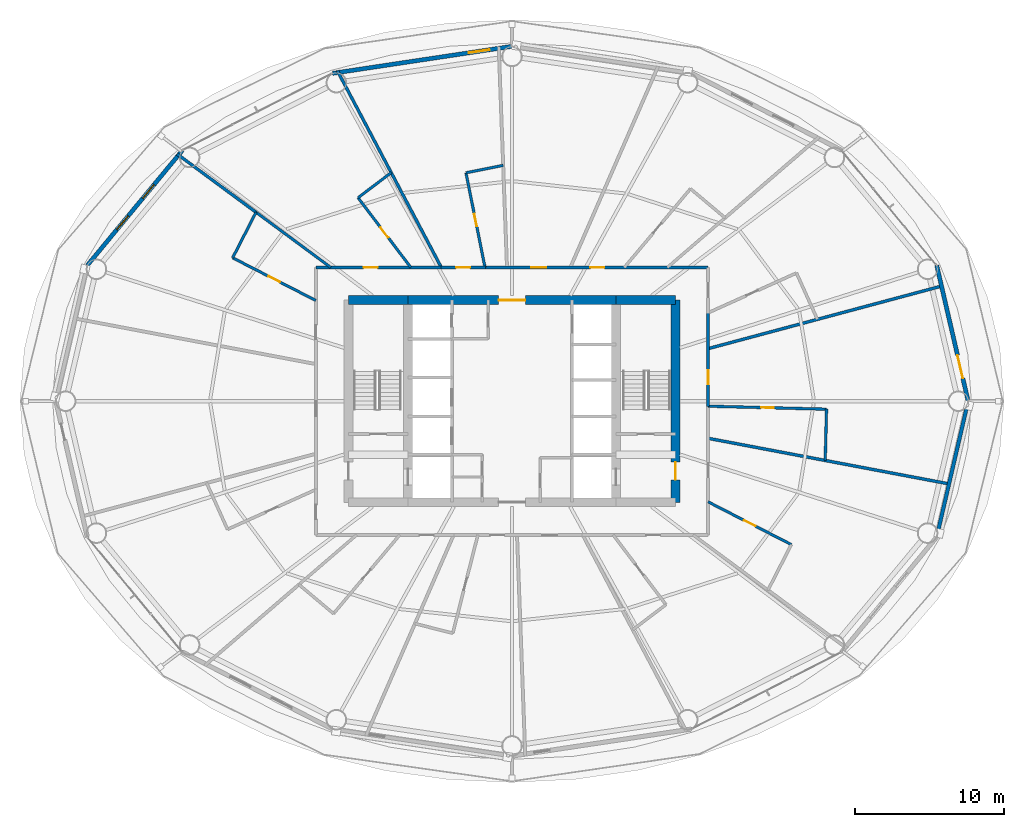
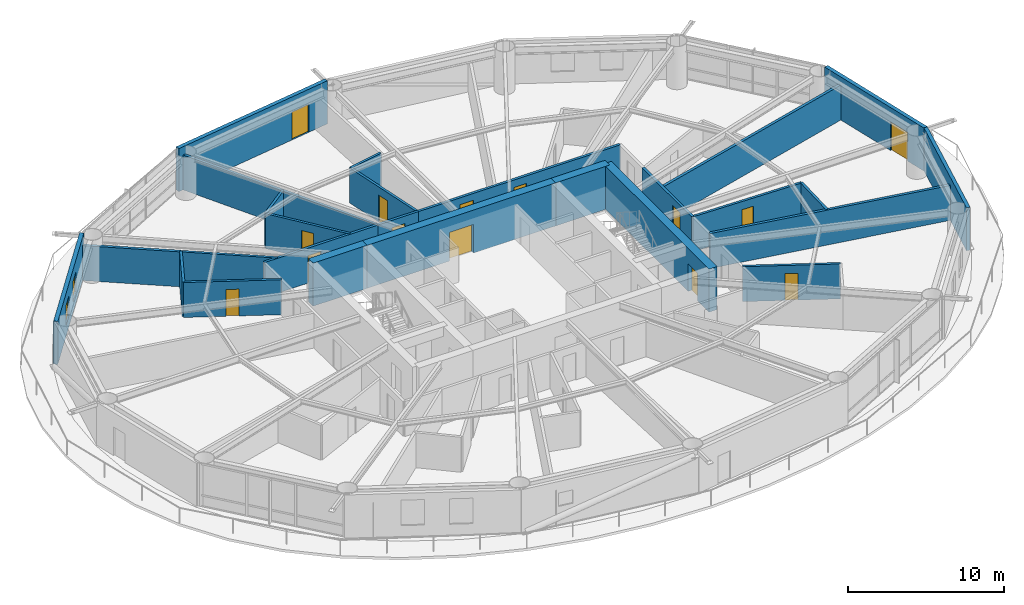
# One storey, part 22 of 26: 26 walls, 14 doors, 2 windows, 16 openings.
"""IFC4 building model written with IfcOpenShell, lengths in metres."""

from ifc_helpers import new_model, si_unit, direction, frame, frame_2d, origin, place, context, subcontext, project, spatial, rectangle, extrude, material, layer, layer_set, type_object, element, fill, save


model = new_model("IFC4")

# Units and contexts
model_context = context("Model", 3, precision=1e-05, world=origin(), true_north=direction((0.0, 1.0)))
body_context = subcontext(model_context, "Body", "Model", "MODEL_VIEW")
ifc_project = project(units=[si_unit("LENGTHUNIT", "METRE"), si_unit("AREAUNIT", "SQUARE_METRE"), si_unit("VOLUMEUNIT", "CUBIC_METRE"), si_unit("PLANEANGLEUNIT", "RADIAN"), si_unit("MASSUNIT", "GRAM", prefix="KILO")], contexts=[model_context])

# Site, building, storey
site_placement = place(None, origin())
site = spatial("IfcSite", under=ifc_project, at=site_placement, CompositionType="ELEMENT")
building_placement = place(site_placement, origin())
building = spatial("IfcBuilding", under=site, at=building_placement, Name="Sarneth Arch Tower", CompositionType="ELEMENT")
storey_placement = place(building_placement, frame((0.0, 0.0, 39.0)))
storey = spatial("IfcBuildingStorey", under=building, at=storey_placement, Name="L08", CompositionType="ELEMENT", Elevation=39.0)

# Wall
ifc_material_1 = material(Name="Concrete C60/75", Category="concrete")
ifc_layer_1 = layer(ifc_material_1, 0.60009765625)
ifc_layer_set_1 = layer_set([ifc_layer_1], Name="Concrete C60/75")
wall_type_1 = type_object("IfcWallType", Name="WALL-CORE-600", PredefinedType="SHEAR", material=ifc_layer_set_1)
wall_1_placement = place(storey_placement, frame((37.0, 48.800048828125, 0.0), z_axis=(0.0, 0.0, 1.0), x_axis=(1.0, 0.0, 0.0)))
element("IfcWall", 1, at=wall_1_placement, inside=storey, type_object=wall_type_1, Name="L08 Core shear wall N-W", PredefinedType="SHEAR", context=body_context, shape_type="SweptSolid", body=[
    extrude(rectangle(XDim=4.0, YDim=0.60009765625, at=frame_2d((2.0, 0.0))), origin(), (0.0, 0.0, 1.0), 3.3798828125),
])

# Wall, opening, door
wall_2_placement = place(storey_placement, frame((41.0, 48.800048828125, 0.0), z_axis=(0.0, 0.0, 1.0), x_axis=(1.0, 0.0, 0.0)))
wall_2 = element("IfcWall", 2, at=wall_2_placement, inside=storey, type_object=wall_type_1, Name="L08 Core shear wall N-M", PredefinedType="SHEAR", context=body_context, shape_type="SweptSolid", body=[
    extrude(rectangle(XDim=14.0, YDim=0.60009765625, at=frame_2d((7.0, 0.0))), origin(), (0.0, 0.0, 1.0), 3.3798828125),
])
opening_1_placement = place(wall_2_placement, frame((6.10009765625, 0.0, 0.0)))
opening_1 = element("IfcOpeningElement", 3, at=opening_1_placement, cuts=wall_2, Name="Opening FD-01", PredefinedType="OPENING", context=body_context, shape_type="SweptSolid", body=[
    extrude(rectangle(XDim=1.800048828125, YDim=2.25, at=frame_2d((0.89990234375, 1.125))), frame((0.0, 0.31005859375, 0.0), z_axis=(0.0, -1.0, 0.0), x_axis=(1.0, 0.0, 0.0)), (0.0, 0.0, 1.0), 0.6201171875),
])
ifc_material_2 = material(Name="Galvanised Steel S275 fire door set", Category="steel")
door_type_1 = type_object("IfcDoorType", Name="DR-FD90-1800", OperationType="DOUBLE_DOOR_SINGLE_SWING", PredefinedType="DOOR", material=ifc_material_2)
door_1_placement = place(opening_1_placement, origin())
door_1 = element("IfcDoor", 4, at=door_1_placement, inside=storey, type_object=door_type_1, Name="L08 Central lift lobby north door", OperationType="DOUBLE_DOOR_SINGLE_SWING", OverallHeight=2.25, OverallWidth=1.800048828125, PredefinedType="DOOR", context=body_context, shape_type="SweptSolid", body=[
    extrude(rectangle(XDim=1.800048828125, YDim=2.25, at=frame_2d((0.89990234375, 1.125))), frame((0.0, 0.02490234375, 0.0), z_axis=(0.0, -1.0, 0.0), x_axis=(1.0, 0.0, 0.0)), (0.0, 0.0, 1.0), 0.050048828125),
])
fill(opening_1, door_1)

# Wall
wall_3_placement = place(storey_placement, frame((55.0, 48.800048828125, 0.0), z_axis=(0.0, 0.0, 1.0), x_axis=(1.0, 0.0, 0.0)))
element("IfcWall", 5, at=wall_3_placement, inside=storey, type_object=wall_type_1, Name="L08 Core shear wall N-E", PredefinedType="SHEAR", context=body_context, shape_type="SweptSolid", body=[
    extrude(rectangle(XDim=4.0, YDim=0.60009765625, at=frame_2d((2.0, 0.0))), origin(), (0.0, 0.0, 1.0), 3.3798828125),
])

# Wall, opening, door
wall_4_placement = place(storey_placement, frame((59.0, 35.199951171875, 0.0), z_axis=(0.0, 0.0, 1.0), x_axis=(0.0, 1.0, 0.0)))
wall_4 = element("IfcWall", 6, at=wall_4_placement, inside=storey, type_object=wall_type_1, Name="L08 Core shear wall E", PredefinedType="SHEAR", context=body_context, shape_type="SweptSolid", body=[
    extrude(rectangle(XDim=13.60009765625, YDim=0.60009765625, at=frame_2d((6.800048828125, 0.0))), origin(), (0.0, 0.0, 1.0), 3.3798828125),
])
opening_2_placement = place(wall_4_placement, frame((1.5, 0.0, 0.0)))
opening_2 = element("IfcOpeningElement", 7, at=opening_2_placement, cuts=wall_4, Name="Opening FD-02", PredefinedType="OPENING", context=body_context, shape_type="SweptSolid", body=[
    extrude(rectangle(XDim=1.199951171875, YDim=2.14990234375, at=frame_2d((0.60009765625, 1.074951171875))), frame((0.0, 0.31005859375, 0.0), z_axis=(0.0, -1.0, 0.0), x_axis=(1.0, 0.0, 0.0)), (0.0, 0.0, 1.0), 0.6201171875),
])
ifc_material_3 = material(Name="Galvanised Steel S275 fire door set", Category="steel")
door_type_2 = type_object("IfcDoorType", Name="DR-FD90-1200", OperationType="SINGLE_SWING_LEFT", PredefinedType="DOOR", material=ifc_material_3)
door_2_placement = place(opening_2_placement, origin())
door_2 = element("IfcDoor", 8, at=door_2_placement, inside=storey, type_object=door_type_2, Name="L08 Firefighting lobby 2 exit door", OperationType="SINGLE_SWING_RIGHT", OverallHeight=2.14990234375, OverallWidth=1.199951171875, PredefinedType="DOOR", context=body_context, shape_type="SweptSolid", body=[
    extrude(rectangle(XDim=1.199951171875, YDim=2.14990234375, at=frame_2d((0.60009765625, 1.074951171875))), frame((0.0, 0.02490234375, 0.0), z_axis=(0.0, -1.0, 0.0), x_axis=(1.0, 0.0, 0.0)), (0.0, 0.0, 1.0), 0.050048828125),
])
fill(opening_2, door_2)

ifc_material_4 = material(Name="Double steel-stud corridor fire wall", Category="steel")
ifc_layer_2 = layer(ifc_material_4, 0.18994140625)
ifc_layer_set_2 = layer_set([ifc_layer_2], Name="Double steel-stud corridor fire wall")
wall_type_2 = type_object("IfcWallType", Name="WALL-CORR-190", PredefinedType="PARTITIONING", material=ifc_layer_set_2)
wall_5_placement = place(storey_placement, frame((34.800048828125, 51.0, 0.0), z_axis=(0.0, 0.0, 1.0), x_axis=(1.0, 0.0, 0.0)))
wall_5 = element("IfcWall", 9, at=wall_5_placement, inside=storey, type_object=wall_type_2, Name="L08 Interior partition W-L08-TP-009", PredefinedType="PARTITIONING", context=body_context, shape_type="SweptSolid", body=[
    extrude(rectangle(XDim=8.4794921875, YDim=0.18994140625, at=frame_2d((4.23974609375, 0.0))), origin(), (0.0, 0.0, 1.0), 2.739990234375),
])
opening_3_placement = place(wall_5_placement, frame((3.2158203125, 0.0, 0.0)))
opening_3 = element("IfcOpeningElement", 10, at=opening_3_placement, cuts=wall_5, Name="Opening FD-09", PredefinedType="OPENING", context=body_context, shape_type="SweptSolid", body=[
    extrude(rectangle(XDim=0.949951171875, YDim=2.14990234375, at=frame_2d((0.47509765625, 1.074951171875))), frame((0.0, 0.10498046875, 0.0), z_axis=(0.0, -1.0, 0.0), x_axis=(1.0, 0.0, 0.0)), (0.0, 0.0, 1.0), 0.2099609375),
])
ifc_material_5 = material(Name="Hardwood timber hotel entrance fire door", Category="wood")
door_type_3 = type_object("IfcDoorType", Name="DR-FD60-950", OperationType="SINGLE_SWING_RIGHT", PredefinedType="DOOR", material=ifc_material_5)
door_3_placement = place(opening_3_placement, origin())
door_3 = element("IfcDoor", 11, at=door_3_placement, inside=storey, type_object=door_type_3, Name="L08 Interior door DR-L08-KEY-05", OperationType="SINGLE_SWING_LEFT", OverallHeight=2.14990234375, OverallWidth=0.949951171875, PredefinedType="DOOR", context=body_context, shape_type="SweptSolid", body=[
    extrude(rectangle(XDim=0.949951171875, YDim=2.14990234375, at=frame_2d((0.47509765625, 1.074951171875))), frame((0.0, 0.02490234375, 0.0), z_axis=(0.0, -1.0, 0.0), x_axis=(1.0, 0.0, 0.0)), (0.0, 0.0, 1.0), 0.050048828125),
])
fill(opening_3, door_3)

# Wall, openings, doors
wall_6_placement = place(storey_placement, frame((46.152587890625, 51.0, 0.0), z_axis=(0.0, 0.0, 1.0), x_axis=(1.0, 0.0, 0.0)))
wall_6 = element("IfcWall", 12, at=wall_6_placement, inside=storey, type_object=wall_type_2, Name="L08 Interior partition W-L08-TP-006", PredefinedType="PARTITIONING", context=body_context, shape_type="SweptSolid", body=[
    extrude(rectangle(XDim=15.04736328125, YDim=0.18994140625, at=frame_2d((7.523681640625, 0.0))), origin(), (0.0, 0.0, 1.0), 2.739990234375),
])
opening_4_placement = place(wall_6_placement, frame((3.143798828125, 0.0, 0.0)))
opening_4 = element("IfcOpeningElement", 13, at=opening_4_placement, cuts=wall_6, Name="Opening FD-08", PredefinedType="OPENING", context=body_context, shape_type="SweptSolid", body=[
    extrude(rectangle(XDim=1.0, YDim=2.199951171875, at=frame_2d((0.5, 1.10009765625))), frame((0.0, 0.10498046875, 0.0), z_axis=(0.0, -1.0, 0.0), x_axis=(1.0, 0.0, 0.0)), (0.0, 0.0, 1.0), 0.2099609375),
])
opening_5_placement = place(wall_6_placement, frame((7.118896484375, 0.0, 0.0)))
opening_5 = element("IfcOpeningElement", 14, at=opening_5_placement, cuts=wall_6, Name="Opening FD-09", PredefinedType="OPENING", context=body_context, shape_type="SweptSolid", body=[
    extrude(rectangle(XDim=0.949951171875, YDim=2.14990234375, at=frame_2d((0.47509765625, 1.074951171875))), frame((0.0, 0.10498046875, 0.0), z_axis=(0.0, -1.0, 0.0), x_axis=(1.0, 0.0, 0.0)), (0.0, 0.0, 1.0), 0.2099609375),
])
ifc_material_6 = material(Name="Hardwood timber acoustic fire door", Category="wood")
door_type_4 = type_object("IfcDoorType", Name="DR-FD60-1000", OperationType="SINGLE_SWING_LEFT", PredefinedType="DOOR", material=ifc_material_6)
door_4_placement = place(opening_4_placement, origin())
door_4 = element("IfcDoor", 15, at=door_4_placement, inside=storey, type_object=door_type_4, Name="L08 Interior door DR-L08-AMN-03", OperationType="SINGLE_SWING_RIGHT", OverallHeight=2.199951171875, OverallWidth=1.0, PredefinedType="DOOR", context=body_context, shape_type="SweptSolid", body=[
    extrude(rectangle(XDim=1.0, YDim=2.199951171875, at=frame_2d((0.5, 1.10009765625))), frame((0.0, 0.02490234375, 0.0), z_axis=(0.0, -1.0, 0.0), x_axis=(1.0, 0.0, 0.0)), (0.0, 0.0, 1.0), 0.050048828125),
])
fill(opening_4, door_4)
door_5_placement = place(opening_5_placement, origin())
door_5 = element("IfcDoor", 16, at=door_5_placement, inside=storey, type_object=door_type_3, Name="L08 Interior door DR-L08-KEY-02", OperationType="SINGLE_SWING_RIGHT", OverallHeight=2.14990234375, OverallWidth=0.949951171875, PredefinedType="DOOR", context=body_context, shape_type="SweptSolid", body=[
    extrude(rectangle(XDim=0.949951171875, YDim=2.14990234375, at=frame_2d((0.47509765625, 1.074951171875))), frame((0.0, 0.02490234375, 0.0), z_axis=(0.0, -1.0, 0.0), x_axis=(1.0, 0.0, 0.0)), (0.0, 0.0, 1.0), 0.050048828125),
])
fill(opening_5, door_5)

# Wall, opening, door
wall_7_placement = place(storey_placement, frame((61.199951171875, 47.983154296875, 0.0), z_axis=(0.0, 0.0, 1.0), x_axis=(0.0, -1.0, 0.0)))
wall_7 = element("IfcWall", 17, at=wall_7_placement, inside=storey, type_object=wall_type_2, Name="L08 Interior partition W-L08-TP-028", PredefinedType="PARTITIONING", context=body_context, shape_type="SweptSolid", body=[
    extrude(rectangle(XDim=6.35107421875, YDim=0.18994140625, at=frame_2d((3.175537109375, 0.0))), origin(), (0.0, 0.0, 1.0), 2.739990234375),
])
opening_6_placement = place(wall_7_placement, frame((3.906982421875, 0.0, 0.0)))
opening_6 = element("IfcOpeningElement", 18, at=opening_6_placement, cuts=wall_7, Name="Opening FD-09", PredefinedType="OPENING", context=body_context, shape_type="SweptSolid", body=[
    extrude(rectangle(XDim=0.949951171875, YDim=2.14990234375, at=frame_2d((0.47509765625, 1.074951171875))), frame((0.0, 0.10498046875, 0.0), z_axis=(0.0, -1.0, 0.0), x_axis=(1.0, 0.0, 0.0)), (0.0, 0.0, 1.0), 0.2099609375),
])
door_6_placement = place(opening_6_placement, origin())
door_6 = element("IfcDoor", 19, at=door_6_placement, inside=storey, type_object=door_type_3, Name="L08 Interior door DR-L08-KEY-14", OperationType="SINGLE_SWING_RIGHT", OverallHeight=2.14990234375, OverallWidth=0.949951171875, PredefinedType="DOOR", context=body_context, shape_type="SweptSolid", body=[
    extrude(rectangle(XDim=0.949951171875, YDim=2.14990234375, at=frame_2d((0.47509765625, 1.074951171875))), frame((0.0, 0.02490234375, 0.0), z_axis=(0.0, -1.0, 0.0), x_axis=(1.0, 0.0, 0.0)), (0.0, 0.0, 1.0), 0.050048828125),
])
fill(opening_6, door_6)

wall_8_placement = place(storey_placement, frame((43.207275390625, 51.0, 0.0), z_axis=(0.0, 0.0, 1.0), x_axis=(1.0, 0.0, 0.0)))
wall_8 = element("IfcWall", 20, at=wall_8_placement, inside=storey, type_object=wall_type_2, Name="L08 Interior partition W-L08-TP-007", PredefinedType="PARTITIONING", context=body_context, shape_type="SweptSolid", body=[
    extrude(rectangle(XDim=3.0107421875, YDim=0.18994140625, at=frame_2d((1.50537109375, 0.0))), origin(), (0.0, 0.0, 1.0), 2.739990234375),
])
opening_7_placement = place(wall_8_placement, frame((1.0302734375, 0.0, 0.0)))
opening_7 = element("IfcOpeningElement", 21, at=opening_7_placement, cuts=wall_8, Name="Opening FD-09", PredefinedType="OPENING", context=body_context, shape_type="SweptSolid", body=[
    extrude(rectangle(XDim=0.949951171875, YDim=2.14990234375, at=frame_2d((0.47509765625, 1.074951171875))), frame((0.0, 0.10498046875, 0.0), z_axis=(0.0, -1.0, 0.0), x_axis=(1.0, 0.0, 0.0)), (0.0, 0.0, 1.0), 0.2099609375),
])
door_7_placement = place(opening_7_placement, origin())
door_7 = element("IfcDoor", 22, at=door_7_placement, inside=storey, type_object=door_type_3, Name="L08 Interior door DR-L08-KEY-04", OperationType="SINGLE_SWING_LEFT", OverallHeight=2.14990234375, OverallWidth=0.949951171875, PredefinedType="DOOR", context=body_context, shape_type="SweptSolid", body=[
    extrude(rectangle(XDim=0.949951171875, YDim=2.14990234375, at=frame_2d((0.47509765625, 1.074951171875))), frame((0.0, 0.02490234375, 0.0), z_axis=(0.0, -1.0, 0.0), x_axis=(1.0, 0.0, 0.0)), (0.0, 0.0, 1.0), 0.050048828125),
])
fill(opening_7, door_7)

# Wall
ifc_material_7 = material(Name="Extruded terracotta rainscreen on Concrete C40/50 backing", Category="masonry")
ifc_layer_3 = layer(ifc_material_7, 0.25)
ifc_layer_set_3 = layer_set([ifc_layer_3], Name="Extruded terracotta rainscreen on Concrete C40/50 backing")
wall_type_3 = type_object("IfcWallType", Name="WALL-EXT-SPAND-250", PredefinedType="SOLIDWALL", material=ifc_layer_set_3)
wall_9_placement = place(storey_placement, frame((76.5810546875, 32.861572265625, 0.0), z_axis=(0.0, 0.0, 1.0), x_axis=(0.225454452941, 0.974253709076, 0.0)))
element("IfcWall", 23, at=wall_9_placement, inside=storey, type_object=wall_type_3, Name="L08 Terracotta perimeter wall 16", PredefinedType="SOLIDWALL", context=body_context, shape_type="SweptSolid", body=[
    extrude(rectangle(XDim=9.3798828125, YDim=0.25, at=frame_2d((4.68994140625, 0.0))), origin(), (0.0, 0.0, 1.0), 3.3798828125),
])

# Wall, opening, door
ifc_material_8 = material(Name="Extruded terracotta rainscreen on Concrete C40/50 backing", Category="masonry")
ifc_layer_4 = layer(ifc_material_8, 0.280029296875)
ifc_layer_set_4 = layer_set([ifc_layer_4], Name="Extruded terracotta rainscreen on Concrete C40/50 backing")
wall_type_4 = type_object("IfcWallType", Name="WALL-EXT-TERRA-280", PredefinedType="SOLIDWALL", material=ifc_layer_set_4)
wall_10_placement = place(storey_placement, frame((78.69580078125, 42.0, 0.0), z_axis=(0.0, 0.0, 1.0), x_axis=(-0.225454452941, 0.974253709076, 0.0)))
wall_10 = element("IfcWall", 24, at=wall_10_placement, inside=storey, type_object=wall_type_4, Name="L08 Terracotta perimeter wall 01", PredefinedType="SOLIDWALL", context=body_context, shape_type="SweptSolid", body=[
    extrude(rectangle(XDim=9.3798828125, YDim=0.280029296875, at=frame_2d((4.68994140625, 0.0))), origin(), (0.0, 0.0, 1.0), 3.3798828125),
])
opening_8_placement = place(wall_10_placement, frame((1.5791015625, 0.0, 0.0)))
opening_8 = element("IfcOpeningElement", 25, at=opening_8_placement, cuts=wall_10, Name="Opening BD-1", PredefinedType="OPENING", context=body_context, shape_type="SweptSolid", body=[
    extrude(rectangle(XDim=1.60009765625, YDim=2.25, at=frame_2d((0.800048828125, 1.125))), frame((0.0, 0.14990234375, 0.0), z_axis=(0.0, -1.0, 0.0), x_axis=(1.0, 0.0, 0.0)), (0.0, 0.0, 1.0), 0.300048828125),
])
ifc_material_9 = material(Name="Thermally broken Aluminium 6063-T6 and laminated safety glass", Category="aluminium")
door_type_5 = type_object("IfcDoorType", Name="DR-BALC-GLZ-1600", OperationType="DOUBLE_DOOR_SINGLE_SWING", PredefinedType="DOOR", material=ifc_material_9)
door_8_placement = place(opening_8_placement, origin())
door_8 = element("IfcDoor", 26, at=door_8_placement, inside=storey, type_object=door_type_5, Name="L08 Balcony glazed door 01", OperationType="DOUBLE_DOOR_SINGLE_SWING", OverallHeight=2.25, OverallWidth=1.60009765625, PredefinedType="DOOR", context=body_context, shape_type="SweptSolid", body=[
    extrude(rectangle(XDim=1.60009765625, YDim=2.25, at=frame_2d((0.800048828125, 1.125))), frame((0.0, 0.02490234375, 0.0), z_axis=(0.0, -1.0, 0.0), x_axis=(1.0, 0.0, 0.0)), (0.0, 0.0, 1.0), 0.050048828125),
])
fill(opening_8, door_8)

wall_11_placement = place(storey_placement, frame((48.0, 65.8798828125, 0.0), z_axis=(0.0, 0.0, 1.0), x_axis=(-0.988864835849, -0.148816452121, 0.0)))
wall_11 = element("IfcWall", 27, at=wall_11_placement, inside=storey, type_object=wall_type_4, Name="L08 Terracotta perimeter wall 05", PredefinedType="SOLIDWALL", context=body_context, shape_type="SweptSolid", body=[
    extrude(rectangle(XDim=12.2138671875, YDim=0.280029296875, at=frame_2d((6.10693359375, 0.0))), origin(), (0.0, 0.0, 1.0), 3.3798828125),
])
opening_9_placement = place(wall_11_placement, frame((1.53125, 0.0, 0.0)))
opening_9 = element("IfcOpeningElement", 28, at=opening_9_placement, cuts=wall_11, Name="Opening BD-2", PredefinedType="OPENING", context=body_context, shape_type="SweptSolid", body=[
    extrude(rectangle(XDim=1.39990234375, YDim=2.199951171875, at=frame_2d((0.699951171875, 1.10009765625))), frame((0.0, 0.14990234375, 0.0), z_axis=(0.0, -1.0, 0.0), x_axis=(1.0, 0.0, 0.0)), (0.0, 0.0, 1.0), 0.300048828125),
])
ifc_material_10 = material(Name="Thermally broken Aluminium 6063-T6 and laminated safety glass", Category="aluminium")
door_type_6 = type_object("IfcDoorType", Name="DR-BALC-GLZ-1400", OperationType="SINGLE_SWING_LEFT", PredefinedType="DOOR", material=ifc_material_10)
door_9_placement = place(opening_9_placement, origin())
door_9 = element("IfcDoor", 29, at=door_9_placement, inside=storey, type_object=door_type_6, Name="L08 Balcony glazed door 05", OperationType="SINGLE_SWING_LEFT", OverallHeight=2.199951171875, OverallWidth=1.39990234375, PredefinedType="DOOR", context=body_context, shape_type="SweptSolid", body=[
    extrude(rectangle(XDim=1.39990234375, YDim=2.199951171875, at=frame_2d((0.699951171875, 1.10009765625))), frame((0.0, 0.02490234375, 0.0), z_axis=(0.0, -1.0, 0.0), x_axis=(1.0, 0.0, 0.0)), (0.0, 0.0, 1.0), 0.050048828125),
])
fill(opening_9, door_9)

# Wall, openings, windows
wall_12_placement = place(storey_placement, frame((25.825927734375, 58.8857421875, 0.0), z_axis=(0.0, 0.0, 1.0), x_axis=(-0.637296809613, -0.770618437657, 0.0)))
wall_12 = element("IfcWall", 30, at=wall_12_placement, inside=storey, type_object=wall_type_4, Name="L08 Terracotta perimeter wall 07", PredefinedType="SOLIDWALL", context=body_context, shape_type="SweptSolid", body=[
    extrude(rectangle(XDim=10.053466796875, YDim=0.280029296875, at=frame_2d((5.02685546875, 0.0))), origin(), (0.0, 0.0, 1.0), 3.3798828125),
])
opening_10_placement = place(wall_12_placement, frame((2.998046875, 0.0, 0.85009765625)))
opening_10 = element("IfcOpeningElement", 31, at=opening_10_placement, cuts=wall_12, Name="Opening W-10", PredefinedType="OPENING", context=body_context, shape_type="SweptSolid", body=[
    extrude(rectangle(XDim=1.199951171875, YDim=1.60009765625, at=frame_2d((0.60009765625, 0.800048828125))), frame((0.0, 0.14990234375, 0.0), z_axis=(0.0, -1.0, 0.0), x_axis=(1.0, 0.0, 0.0)), (0.0, 0.0, 1.0), 0.300048828125),
])
opening_11_placement = place(wall_12_placement, frame((5.729736328125, 0.0, 0.85009765625)))
opening_11 = element("IfcOpeningElement", 32, at=opening_11_placement, cuts=wall_12, Name="Opening W-10", PredefinedType="OPENING", context=body_context, shape_type="SweptSolid", body=[
    extrude(rectangle(XDim=1.199951171875, YDim=1.60009765625, at=frame_2d((0.60009765625, 0.800048828125))), frame((0.0, 0.14990234375, 0.0), z_axis=(0.0, -1.0, 0.0), x_axis=(1.0, 0.0, 0.0)), (0.0, 0.0, 1.0), 0.300048828125),
])
ifc_material_11 = material(Name="Thermally broken Aluminium 6063-T6 and low-e laminated IGU", Category="aluminium")
window_type = type_object("IfcWindowType", Name="WIN-TWR-1200x1600", PartitioningType="SINGLE_PANEL", PredefinedType="WINDOW", material=ifc_material_11)
window_1_placement = place(opening_10_placement, origin())
window_1 = element("IfcWindow", 33, at=window_1_placement, inside=storey, type_object=window_type, Name="L08 Exterior window 07A", OverallHeight=1.60009765625, OverallWidth=1.199951171875, PartitioningType="SINGLE_PANEL", PredefinedType="WINDOW", context=body_context, shape_type="SweptSolid", body=[
    extrude(rectangle(XDim=1.199951171875, YDim=1.60009765625, at=frame_2d((0.60009765625, 0.800048828125))), frame((0.0, 0.030029296875, 0.0), z_axis=(0.0, -1.0, 0.0), x_axis=(1.0, 0.0, 0.0)), (0.0, 0.0, 1.0), 0.06005859375),
])
fill(opening_10, window_1)
window_2_placement = place(opening_11_placement, origin())
window_2 = element("IfcWindow", 34, at=window_2_placement, inside=storey, type_object=window_type, Name="L08 Exterior window 07B", OverallHeight=1.60009765625, OverallWidth=1.199951171875, PartitioningType="SINGLE_PANEL", PredefinedType="WINDOW", context=body_context, shape_type="SweptSolid", body=[
    extrude(rectangle(XDim=1.199951171875, YDim=1.60009765625, at=frame_2d((0.60009765625, 0.800048828125))), frame((0.0, 0.030029296875, 0.0), z_axis=(0.0, -1.0, 0.0), x_axis=(1.0, 0.0, 0.0)), (0.0, 0.0, 1.0), 0.06005859375),
])
fill(opening_11, window_2)

# Wall, opening, door
ifc_material_12 = material(Name="Moisture-resistant plumbing chase wall", Category="gypsum")
ifc_layer_5 = layer(ifc_material_12, 0.179931640625)
ifc_layer_set_5 = layer_set([ifc_layer_5], Name="Moisture-resistant plumbing chase wall")
wall_type_5 = type_object("IfcWallType", Name="WALL-PLUMB-180", PredefinedType="PLUMBINGWALL", material=ifc_layer_set_5)
wall_13_placement = place(storey_placement, frame((69.165283203125, 41.461669921875, 0.0), z_axis=(0.0, 0.0, 1.0), x_axis=(-0.999676564425, 0.025431605115, 0.0)))
wall_13 = element("IfcWall", 35, at=wall_13_placement, inside=storey, type_object=wall_type_5, Name="L08 Interior partition W-L08-TP-076", PredefinedType="PLUMBINGWALL", context=body_context, shape_type="SweptSolid", body=[
    extrude(rectangle(XDim=7.968017578125, YDim=0.179931640625, at=frame_2d((3.98388671875, 0.0))), origin(), (0.0, 0.0, 1.0), 2.739990234375),
])
opening_12_placement = place(wall_13_placement, frame((3.55908203125, 0.0, 0.0)))
opening_12 = element("IfcOpeningElement", 36, at=opening_12_placement, cuts=wall_13, Name="Opening ID-02", PredefinedType="OPENING", context=body_context, shape_type="SweptSolid", body=[
    extrude(rectangle(XDim=0.85009765625, YDim=2.10009765625, at=frame_2d((0.425048828125, 1.050048828125))), frame((0.0, 0.099853515625, 0.0), z_axis=(0.0, -1.0, 0.0), x_axis=(1.0, 0.0, 0.0)), (0.0, 0.0, 1.0), 0.199951171875),
])
ifc_material_13 = material(Name="Moisture-resistant bathroom timber door", Category="wood")
door_type_7 = type_object("IfcDoorType", Name="DR-INT-850", OperationType="SINGLE_SWING_RIGHT", PredefinedType="DOOR", material=ifc_material_13)
door_10_placement = place(opening_12_placement, origin())
door_10 = element("IfcDoor", 37, at=door_10_placement, inside=storey, type_object=door_type_7, Name="L08 Interior door DR-L08-ENS-14", OperationType="SINGLE_SWING_LEFT", OverallHeight=2.10009765625, OverallWidth=0.85009765625, PredefinedType="DOOR", context=body_context, shape_type="SweptSolid", body=[
    extrude(rectangle(XDim=0.85009765625, YDim=2.10009765625, at=frame_2d((0.425048828125, 1.050048828125))), frame((0.0, 0.02490234375, 0.0), z_axis=(0.0, -1.0, 0.0), x_axis=(1.0, 0.0, 0.0)), (0.0, 0.0, 1.0), 0.050048828125),
])
fill(opening_12, door_10)

wall_14_placement = place(storey_placement, frame((44.901611328125, 57.36669921875, 0.0), z_axis=(0.0, 0.0, 1.0), x_axis=(0.197648412503, -0.980272974755, 0.0)))
wall_14 = element("IfcWall", 38, at=wall_14_placement, inside=storey, type_object=wall_type_5, Name="L08 Interior partition W-L08-TP-042", PredefinedType="PLUMBINGWALL", context=body_context, shape_type="SweptSolid", body=[
    extrude(rectangle(XDim=6.494873046875, YDim=0.179931640625, at=frame_2d((3.24755859375, 0.0))), origin(), (0.0, 0.0, 1.0), 2.739990234375),
])
opening_13_placement = place(wall_14_placement, frame((2.822509765625, 0.0, 0.0)))
opening_13 = element("IfcOpeningElement", 39, at=opening_13_placement, cuts=wall_14, Name="Opening ID-02", PredefinedType="OPENING", context=body_context, shape_type="SweptSolid", body=[
    extrude(rectangle(XDim=0.85009765625, YDim=2.10009765625, at=frame_2d((0.425048828125, 1.050048828125))), frame((0.0, 0.099853515625, 0.0), z_axis=(0.0, -1.0, 0.0), x_axis=(1.0, 0.0, 0.0)), (0.0, 0.0, 1.0), 0.199951171875),
])
door_11_placement = place(opening_13_placement, origin())
door_11 = element("IfcDoor", 40, at=door_11_placement, inside=storey, type_object=door_type_7, Name="L08 Interior door DR-L08-ENS-04", OperationType="SINGLE_SWING_LEFT", OverallHeight=2.10009765625, OverallWidth=0.85009765625, PredefinedType="DOOR", context=body_context, shape_type="SweptSolid", body=[
    extrude(rectangle(XDim=0.85009765625, YDim=2.10009765625, at=frame_2d((0.425048828125, 1.050048828125))), frame((0.0, 0.02490234375, 0.0), z_axis=(0.0, -1.0, 0.0), x_axis=(1.0, 0.0, 0.0)), (0.0, 0.0, 1.0), 0.050048828125),
])
fill(opening_13, door_11)

wall_15_placement = place(storey_placement, frame((34.800048828125, 48.775634765625, 0.0), z_axis=(0.0, 0.0, 1.0), x_axis=(-0.889651376734, 0.456640370395, 0.0)))
wall_15 = element("IfcWall", 41, at=wall_15_placement, inside=storey, type_object=wall_type_5, Name="L08 Interior partition W-L08-TP-049", PredefinedType="PLUMBINGWALL", context=body_context, shape_type="SweptSolid", body=[
    extrude(rectangle(XDim=6.292236328125, YDim=0.179931640625, at=frame_2d((3.14599609375, 0.0))), origin(), (0.0, 0.0, 1.0), 2.739990234375),
])
opening_14_placement = place(wall_15_placement, frame((2.72119140625, 0.0, 0.0)))
opening_14 = element("IfcOpeningElement", 42, at=opening_14_placement, cuts=wall_15, Name="Opening ID-02", PredefinedType="OPENING", context=body_context, shape_type="SweptSolid", body=[
    extrude(rectangle(XDim=0.85009765625, YDim=2.10009765625, at=frame_2d((0.425048828125, 1.050048828125))), frame((0.0, 0.099853515625, 0.0), z_axis=(0.0, -1.0, 0.0), x_axis=(1.0, 0.0, 0.0)), (0.0, 0.0, 1.0), 0.199951171875),
])
door_12_placement = place(opening_14_placement, origin())
door_12 = element("IfcDoor", 43, at=door_12_placement, inside=storey, type_object=door_type_7, Name="L08 Interior door DR-L08-ENS-06", OperationType="SINGLE_SWING_LEFT", OverallHeight=2.10009765625, OverallWidth=0.85009765625, PredefinedType="DOOR", context=body_context, shape_type="SweptSolid", body=[
    extrude(rectangle(XDim=0.85009765625, YDim=2.10009765625, at=frame_2d((0.425048828125, 1.050048828125))), frame((0.0, 0.02490234375, 0.0), z_axis=(0.0, -1.0, 0.0), x_axis=(1.0, 0.0, 0.0)), (0.0, 0.0, 1.0), 0.050048828125),
])
fill(opening_14, door_12)

wall_16_placement = place(storey_placement, frame((61.199951171875, 35.224365234375, 0.0), z_axis=(0.0, 0.0, 1.0), x_axis=(0.889651376734, -0.456640370395, 0.0)))
wall_16 = element("IfcWall", 44, at=wall_16_placement, inside=storey, type_object=wall_type_5, Name="L08 Interior partition W-L08-TP-071", PredefinedType="PLUMBINGWALL", context=body_context, shape_type="SweptSolid", body=[
    extrude(rectangle(XDim=6.292236328125, YDim=0.179931640625, at=frame_2d((3.14599609375, 0.0))), origin(), (0.0, 0.0, 1.0), 2.739990234375),
])
opening_15_placement = place(wall_16_placement, frame((2.72119140625, 0.0, 0.0)))
opening_15 = element("IfcOpeningElement", 45, at=opening_15_placement, cuts=wall_16, Name="Opening ID-02", PredefinedType="OPENING", context=body_context, shape_type="SweptSolid", body=[
    extrude(rectangle(XDim=0.85009765625, YDim=2.10009765625, at=frame_2d((0.425048828125, 1.050048828125))), frame((0.0, 0.099853515625, 0.0), z_axis=(0.0, -1.0, 0.0), x_axis=(1.0, 0.0, 0.0)), (0.0, 0.0, 1.0), 0.199951171875),
])
door_13_placement = place(opening_15_placement, origin())
door_13 = element("IfcDoor", 46, at=door_13_placement, inside=storey, type_object=door_type_7, Name="L08 Interior door DR-L08-ENS-13", OperationType="SINGLE_SWING_LEFT", OverallHeight=2.10009765625, OverallWidth=0.85009765625, PredefinedType="DOOR", context=body_context, shape_type="SweptSolid", body=[
    extrude(rectangle(XDim=0.85009765625, YDim=2.10009765625, at=frame_2d((0.425048828125, 1.050048828125))), frame((0.0, 0.02490234375, 0.0), z_axis=(0.0, -1.0, 0.0), x_axis=(1.0, 0.0, 0.0)), (0.0, 0.0, 1.0), 0.050048828125),
])
fill(opening_15, door_13)

# Wall
wall_17_placement = place(storey_placement, frame((30.77490234375, 54.712890625, 0.0), z_axis=(0.0, 0.0, 1.0), x_axis=(0.804582519588, -0.593840861825, 0.0)))
element("IfcWall", 47, at=wall_17_placement, inside=storey, type_object=wall_type_5, Name="L08 Interior partition W-L08-TP-048", PredefinedType="PLUMBINGWALL", context=body_context, shape_type="SweptSolid", body=[
    extrude(rectangle(XDim=6.25244140625, YDim=0.179931640625, at=frame_2d((3.126220703125, 0.0))), origin(), (0.0, 0.0, 1.0), 2.739990234375),
])

# Wall, opening, door
wall_18_placement = place(storey_placement, frame((37.640380859375, 55.690673828125, 0.0), z_axis=(0.0, 0.0, 1.0), x_axis=(0.603401299207, -0.797437691682, 0.0)))
wall_18 = element("IfcWall", 48, at=wall_18_placement, inside=storey, type_object=wall_type_5, Name="L08 Interior partition W-L08-TP-046", PredefinedType="PLUMBINGWALL", context=body_context, shape_type="SweptSolid", body=[
    extrude(rectangle(XDim=5.882080078125, YDim=0.179931640625, at=frame_2d((2.94091796875, 0.0))), origin(), (0.0, 0.0, 1.0), 2.739990234375),
])
opening_16_placement = place(wall_18_placement, frame((2.51611328125, 0.0, 0.0)))
opening_16 = element("IfcOpeningElement", 49, at=opening_16_placement, cuts=wall_18, Name="Opening ID-02", PredefinedType="OPENING", context=body_context, shape_type="SweptSolid", body=[
    extrude(rectangle(XDim=0.85009765625, YDim=2.10009765625, at=frame_2d((0.425048828125, 1.050048828125))), frame((0.0, 0.099853515625, 0.0), z_axis=(0.0, -1.0, 0.0), x_axis=(1.0, 0.0, 0.0)), (0.0, 0.0, 1.0), 0.199951171875),
])
door_14_placement = place(opening_16_placement, origin())
door_14 = element("IfcDoor", 50, at=door_14_placement, inside=storey, type_object=door_type_7, Name="L08 Interior door DR-L08-ENS-05", OperationType="SINGLE_SWING_LEFT", OverallHeight=2.10009765625, OverallWidth=0.85009765625, PredefinedType="DOOR", context=body_context, shape_type="SweptSolid", body=[
    extrude(rectangle(XDim=0.85009765625, YDim=2.10009765625, at=frame_2d((0.425048828125, 1.050048828125))), frame((0.0, 0.02490234375, 0.0), z_axis=(0.0, -1.0, 0.0), x_axis=(1.0, 0.0, 0.0)), (0.0, 0.0, 1.0), 0.050048828125),
])
fill(opening_16, door_14)

# Walls
wall_19_placement = place(storey_placement, frame((69.07763671875, 38.011962890625, 0.0), z_axis=(0.0, 0.0, 1.0), x_axis=(0.02539873932, 0.999677399985, 0.0)))
element("IfcWall", 51, at=wall_19_placement, inside=storey, type_object=wall_type_5, Name="L08 Interior partition W-L08-TP-075", PredefinedType="PLUMBINGWALL", context=body_context, shape_type="SweptSolid", body=[
    extrude(rectangle(XDim=3.450927734375, YDim=0.179931640625, at=frame_2d((1.7255859375, 0.0))), origin(), (0.0, 0.0, 1.0), 2.739990234375),
])
wall_20_placement = place(storey_placement, frame((29.2021484375, 51.64892578125, 0.0), z_axis=(0.0, 0.0, 1.0), x_axis=(0.456659133546, 0.889641745732, 0.0)))
element("IfcWall", 52, at=wall_20_placement, inside=storey, type_object=wall_type_5, Name="L08 Interior partition W-L08-TP-050", PredefinedType="PLUMBINGWALL", context=body_context, shape_type="SweptSolid", body=[
    extrude(rectangle(XDim=3.444091796875, YDim=0.179931640625, at=frame_2d((1.72216796875, 0.0))), origin(), (0.0, 0.0, 1.0), 2.739990234375),
])
wall_21_placement = place(storey_placement, frame((39.871826171875, 57.379150390625, 0.0), z_axis=(0.0, 0.0, 1.0), x_axis=(-0.797438154909, -0.603400687019, 0.0)))
element("IfcWall", 53, at=wall_21_placement, inside=storey, type_object=wall_type_5, Name="L08 Interior partition W-L08-TP-045", PredefinedType="PLUMBINGWALL", context=body_context, shape_type="SweptSolid", body=[
    extrude(rectangle(XDim=2.79833984375, YDim=0.179931640625, at=frame_2d((1.399169921875, 0.0))), origin(), (0.0, 0.0, 1.0), 2.739990234375),
])
wall_22_placement = place(storey_placement, frame((47.406005859375, 57.87158203125, 0.0), z_axis=(0.0, 0.0, 1.0), x_axis=(-0.980278128955, -0.1976228476, 0.0)))
element("IfcWall", 54, at=wall_22_placement, inside=storey, type_object=wall_type_5, Name="L08 Interior partition W-L08-TP-041", PredefinedType="PLUMBINGWALL", context=body_context, shape_type="SweptSolid", body=[
    extrude(rectangle(XDim=2.5546875, YDim=0.179931640625, at=frame_2d((1.27734375, 0.0))), origin(), (0.0, 0.0, 1.0), 2.739990234375),
])
ifc_material_14 = material(Name="Double steel-stud acoustic drywall", Category="steel")
ifc_layer_6 = layer(ifc_material_14, 0.199951171875)
ifc_layer_set_6 = layer_set([ifc_layer_6], Name="Double steel-stud acoustic drywall")
wall_type_6 = type_object("IfcWallType", Name="WALL-UNIT-200", PredefinedType="PARTITIONING", material=ifc_layer_set_6)
wall_23_placement = place(storey_placement, frame((61.199951171875, 45.536865234375, 0.0), z_axis=(0.0, 0.0, 1.0), x_axis=(0.965922233104, 0.258832454679, 0.0)))
element("IfcWall", 55, at=wall_23_placement, inside=storey, type_object=wall_type_6, Name="L08 Interior partition W-L08-TP-034", PredefinedType="PARTITIONING", context=body_context, shape_type="SweptSolid", body=[
    extrude(rectangle(XDim=16.37744140625, YDim=0.199951171875, at=frame_2d((8.188720703125, 0.0))), origin(), (0.0, 0.0, 1.0), 2.739990234375),
])
wall_24_placement = place(storey_placement, frame((61.199951171875, 39.50244140625, 0.0), z_axis=(0.0, 0.0, 1.0), x_axis=(0.982565603173, -0.185916205484, 0.0)))
element("IfcWall", 56, at=wall_24_placement, inside=storey, type_object=wall_type_6, Name="L08 Interior partition W-L08-TP-073", PredefinedType="PARTITIONING", context=body_context, shape_type="SweptSolid", body=[
    extrude(rectangle(XDim=16.61572265625, YDim=0.199951171875, at=frame_2d((8.307861328125, 0.0))), origin(), (0.0, 0.0, 1.0), 2.739990234375),
])
wall_25_placement = place(storey_placement, frame((43.243408203125, 51.0, 0.0), z_axis=(0.0, 0.0, 1.0), x_axis=(-0.467270516294, 0.884114395654, 0.0)))
element("IfcWall", 57, at=wall_25_placement, inside=storey, type_object=wall_type_6, Name="L08 Interior partition W-L08-TP-043", PredefinedType="PARTITIONING", context=body_context, shape_type="SweptSolid", body=[
    extrude(rectangle(XDim=14.960205078125, YDim=0.199951171875, at=frame_2d((7.47998046875, 0.0))), origin(), (0.0, 0.0, 1.0), 2.739990234375),
])
wall_26_placement = place(storey_placement, frame((25.4619140625, 58.6337890625, 0.0), z_axis=(0.0, 0.0, 1.0), x_axis=(0.804616980297, -0.593794168898, 0.0)))
element("IfcWall", 58, at=wall_26_placement, inside=storey, type_object=wall_type_6, Name="L08 Interior partition W-L08-TP-047", PredefinedType="PARTITIONING", context=body_context, shape_type="SweptSolid", body=[
    extrude(rectangle(XDim=6.60302734375, YDim=0.199951171875, at=frame_2d((3.301513671875, 0.0))), origin(), (0.0, 0.0, 1.0), 2.739990234375),
])

save(model, "model.ifc")
